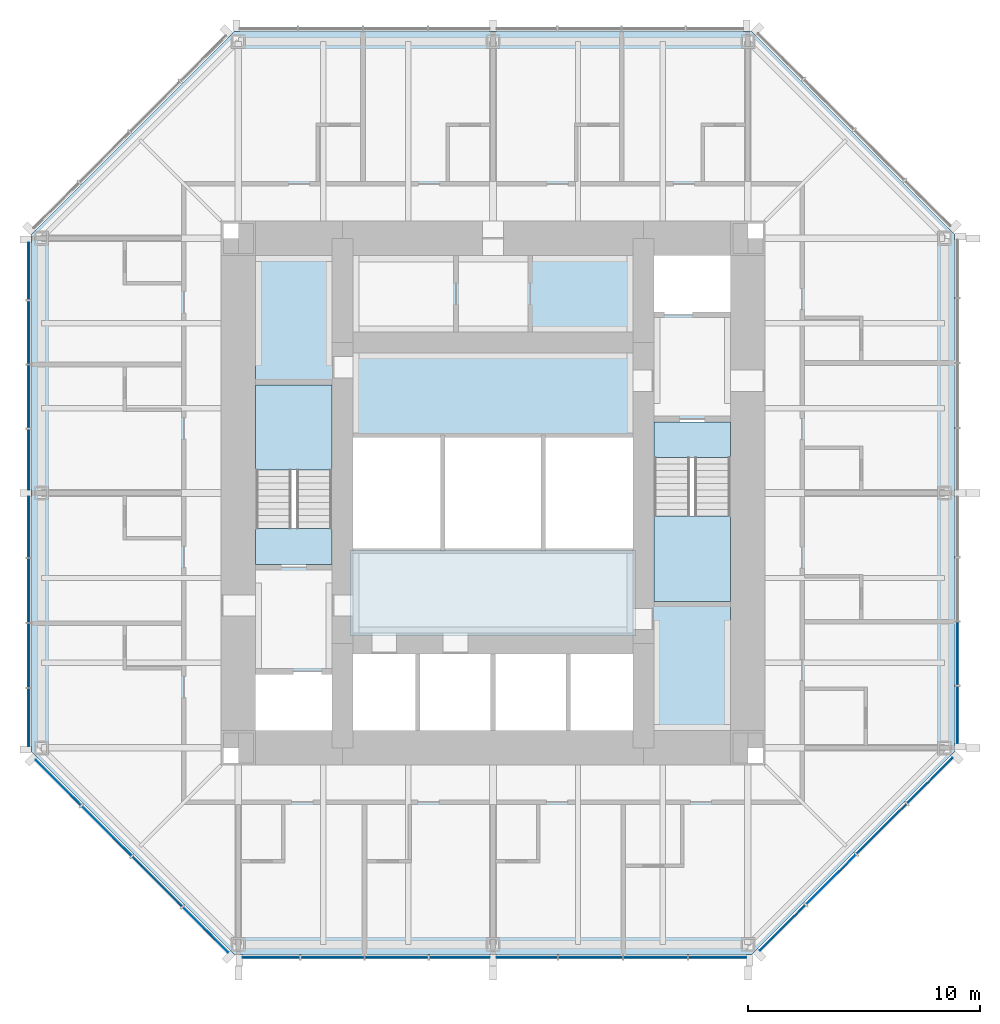
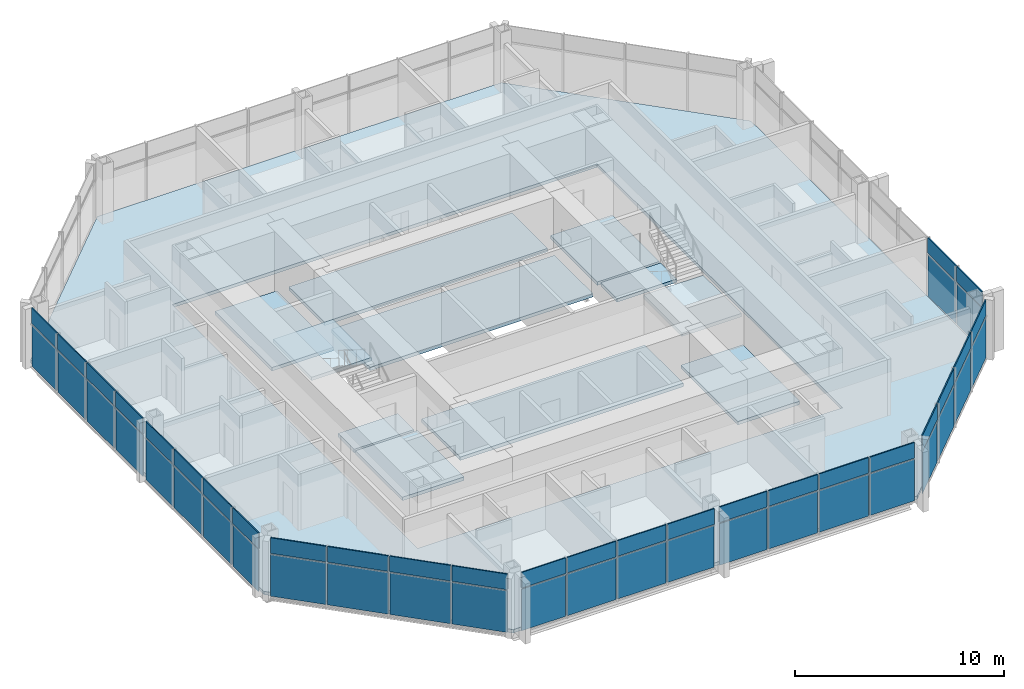
# One storey, part 6 of 12: 52 plates, 12 slabs, 7 elements without a shape of their own.
"""IFC4 building model written with IfcOpenShell, lengths in metres."""

from ifc_helpers import new_model, si_unit, direction, frame, origin, origin_2d, place, context, subcontext, project, spatial, polyline, rectangle, outline, extrude, material, layer, layer_set, type_object, element, aggregate, save


model = new_model("IFC4")

# Units and contexts
model_context = context("Model", 3, precision=1e-05, world=origin(), true_north=direction((0.0, 1.0)))
body_context = subcontext(model_context, "Body", "Model", "MODEL_VIEW")
ifc_project = project(units=[si_unit("LENGTHUNIT", "METRE"), si_unit("AREAUNIT", "SQUARE_METRE"), si_unit("VOLUMEUNIT", "CUBIC_METRE"), si_unit("PLANEANGLEUNIT", "RADIAN"), si_unit("MASSUNIT", "GRAM", prefix="KILO")], contexts=[model_context])

# Site, building, storey
site_placement = place(None, origin())
site = spatial("IfcSite", under=ifc_project, at=site_placement, CompositionType="ELEMENT")
building_placement = place(site_placement, origin())
building = spatial("IfcBuilding", under=site, at=building_placement, Name="Trevanion Tower", CompositionType="ELEMENT")
storey_placement = place(building_placement, frame((0.0, 0.0, 197.699951171875)))
storey = spatial("IfcBuildingStorey", under=building, at=storey_placement, Name="L46", CompositionType="ELEMENT", Elevation=197.699951171875)

# Curtain wall, plates
ifc_material_1 = material(Name="Aluminium and glass", Category="aluminium")
curtain_wall_type = type_object("IfcCurtainWallType", Name="CW3 curtain wall", PredefinedType="USERDEFINED", material=ifc_material_1)
curtain_wall_1_placement = place(storey_placement, origin())
curtain_wall_1 = element("IfcCurtainWall", 1, at=curtain_wall_1_placement, inside=storey, type_object=curtain_wall_type, Name="CW3 L46 0", ObjectType="UNITISED CURTAIN WALL", PredefinedType="USERDEFINED")
ifc_material_2 = material(Name="Aluminium spandrel panel", Category="aluminium")
ifc_layer_1 = layer(ifc_material_2, 0.06005859375)
ifc_layer_set_1 = layer_set([ifc_layer_1], Name="CW3 spandrel panel")
plate_type_1 = type_object("IfcPlateType", Name="CW3 spandrel panel", PredefinedType="CURTAIN_PANEL", material=ifc_layer_set_1)
plate_1_placement = place(storey_placement, frame((20.050048828125, -9.579345703125, 2.3974609375), z_axis=(0.0, 0.0, 1.0), x_axis=(0.0, 1.0, 0.0)))
plate_1 = element("IfcPlate", 2, at=plate_1_placement, type_object=plate_type_1, Name="CW3 panel 1.2", PredefinedType="CURTAIN_PANEL", context=body_context, shape_type="SweptSolid", body=[
    extrude(rectangle(XDim=2.43701171875, YDim=0.06005859375, at=origin_2d()), origin(), (0.0, 0.0, 1.0), 0.91259765625),
])
plate_2_placement = place(storey_placement, frame((20.050048828125, -6.93603515625, 2.3974609375), z_axis=(0.0, 0.0, 1.0), x_axis=(0.0, 1.0, 0.0)))
plate_2 = element("IfcPlate", 3, at=plate_2_placement, type_object=plate_type_1, Name="CW3 panel 2.2", PredefinedType="CURTAIN_PANEL", context=body_context, shape_type="SweptSolid", body=[
    extrude(rectangle(XDim=2.699462890625, YDim=0.06005859375, at=origin_2d()), origin(), (0.0, 0.0, 1.0), 0.91259765625),
])

curtain_wall_2_placement = place(storey_placement, origin())
curtain_wall_2 = element("IfcCurtainWall", 4, at=curtain_wall_2_placement, inside=storey, type_object=curtain_wall_type, Name="CW3 L46 4", ObjectType="UNITISED CURTAIN WALL", PredefinedType="USERDEFINED")
plate_3_placement = place(storey_placement, frame((-20.050048828125, 9.579345703125, 2.3974609375), z_axis=(0.0, 0.0, 1.0), x_axis=(0.0, -1.0, 0.0)))
plate_3 = element("IfcPlate", 5, at=plate_3_placement, type_object=plate_type_1, Name="CW3 panel 1.2", PredefinedType="CURTAIN_PANEL", context=body_context, shape_type="SweptSolid", body=[
    extrude(rectangle(XDim=2.43701171875, YDim=0.06005859375, at=origin_2d()), origin(), (0.0, 0.0, 1.0), 0.91259765625),
])
plate_4_placement = place(storey_placement, frame((-20.050048828125, 6.93603515625, 2.3974609375), z_axis=(0.0, 0.0, 1.0), x_axis=(0.0, -1.0, 0.0)))
plate_4 = element("IfcPlate", 6, at=plate_4_placement, type_object=plate_type_1, Name="CW3 panel 2.2", PredefinedType="CURTAIN_PANEL", context=body_context, shape_type="SweptSolid", body=[
    extrude(rectangle(XDim=2.699462890625, YDim=0.06005859375, at=origin_2d()), origin(), (0.0, 0.0, 1.0), 0.91259765625),
])
plate_5_placement = place(storey_placement, frame((-20.050048828125, 4.16162109375, 2.3974609375), z_axis=(0.0, 0.0, 1.0), x_axis=(0.0, -1.0, 0.0)))
plate_5 = element("IfcPlate", 7, at=plate_5_placement, type_object=plate_type_1, Name="CW3 panel 3.2", PredefinedType="CURTAIN_PANEL", context=body_context, shape_type="SweptSolid", body=[
    extrude(rectangle(XDim=2.699462890625, YDim=0.06005859375, at=origin_2d()), origin(), (0.0, 0.0, 1.0), 0.91259765625),
])
plate_6_placement = place(storey_placement, frame((-20.050048828125, 1.443603515625, 2.3974609375), z_axis=(0.0, 0.0, 1.0), x_axis=(0.0, -1.0, 0.0)))
plate_6 = element("IfcPlate", 8, at=plate_6_placement, type_object=plate_type_1, Name="CW3 panel 4.2", PredefinedType="CURTAIN_PANEL", context=body_context, shape_type="SweptSolid", body=[
    extrude(rectangle(XDim=2.5869140625, YDim=0.06005859375, at=origin_2d()), origin(), (0.0, 0.0, 1.0), 0.91259765625),
])
plate_7_placement = place(storey_placement, frame((-20.050048828125, -1.459716796875, 2.3974609375), z_axis=(0.0, 0.0, 1.0), x_axis=(0.0, -1.0, 0.0)))
plate_7 = element("IfcPlate", 9, at=plate_7_placement, type_object=plate_type_1, Name="CW3 panel 5.2", PredefinedType="CURTAIN_PANEL", context=body_context, shape_type="SweptSolid", body=[
    extrude(rectangle(XDim=2.619384765625, YDim=0.06005859375, at=origin_2d()), origin(), (0.0, 0.0, 1.0), 0.91259765625),
])
plate_8_placement = place(storey_placement, frame((-20.050048828125, -4.21044921875, 2.3974609375), z_axis=(0.0, 0.0, 1.0), x_axis=(0.0, -1.0, 0.0)))
plate_8 = element("IfcPlate", 10, at=plate_8_placement, type_object=plate_type_1, Name="CW3 panel 6.2", PredefinedType="CURTAIN_PANEL", context=body_context, shape_type="SweptSolid", body=[
    extrude(rectangle(XDim=2.73193359375, YDim=0.06005859375, at=origin_2d()), origin(), (0.0, 0.0, 1.0), 0.91259765625),
])
plate_9_placement = place(storey_placement, frame((-20.050048828125, -7.017333984375, 2.3974609375), z_axis=(0.0, 0.0, 1.0), x_axis=(0.0, -1.0, 0.0)))
plate_9 = element("IfcPlate", 11, at=plate_9_placement, type_object=plate_type_1, Name="CW3 panel 7.2", PredefinedType="CURTAIN_PANEL", context=body_context, shape_type="SweptSolid", body=[
    extrude(rectangle(XDim=2.73193359375, YDim=0.06005859375, at=origin_2d()), origin(), (0.0, 0.0, 1.0), 0.91259765625),
])
plate_10_placement = place(storey_placement, frame((-20.050048828125, -9.693115234375, 2.3974609375), z_axis=(0.0, 0.0, 1.0), x_axis=(0.0, -1.0, 0.0)))
plate_10 = element("IfcPlate", 12, at=plate_10_placement, type_object=plate_type_1, Name="CW3 panel 8.2", PredefinedType="CURTAIN_PANEL", context=body_context, shape_type="SweptSolid", body=[
    extrude(rectangle(XDim=2.469482421875, YDim=0.06005859375, at=origin_2d()), origin(), (0.0, 0.0, 1.0), 0.91259765625),
])

curtain_wall_3_placement = place(storey_placement, origin())
curtain_wall_3 = element("IfcCurtainWall", 13, at=curtain_wall_3_placement, inside=storey, type_object=curtain_wall_type, Name="CW3 L46 5", ObjectType="UNITISED CURTAIN WALL", PredefinedType="USERDEFINED")
plate_11_placement = place(storey_placement, frame((-18.77392578125, -12.50390625, 2.3974609375), z_axis=(0.0, 0.0, 1.0), x_axis=(0.707106781187, -0.707106781187, 0.0)))
plate_11 = element("IfcPlate", 14, at=plate_11_placement, type_object=plate_type_1, Name="CW3 panel 1.2", PredefinedType="CURTAIN_PANEL", context=body_context, shape_type="SweptSolid", body=[
    extrude(rectangle(XDim=2.7490234375, YDim=0.06005859375, at=origin_2d()), origin(), (0.0, 0.0, 1.0), 0.91259765625),
])
plate_12_placement = place(storey_placement, frame((-16.68408203125, -14.593505859375, 2.3974609375), z_axis=(0.0, 0.0, 1.0), x_axis=(0.707106781187, -0.707106781187, 0.0)))
plate_12 = element("IfcPlate", 15, at=plate_12_placement, type_object=plate_type_1, Name="CW3 panel 2.2", PredefinedType="CURTAIN_PANEL", context=body_context, shape_type="SweptSolid", body=[
    extrude(rectangle(XDim=3.01171875, YDim=0.06005859375, at=origin_2d()), origin(), (0.0, 0.0, 1.0), 0.91259765625),
])
plate_13_placement = place(storey_placement, frame((-14.501708984375, -16.776123046875, 2.3974609375), z_axis=(0.0, 0.0, 1.0), x_axis=(0.707106781187, -0.707106781187, 0.0)))
plate_13 = element("IfcPlate", 16, at=plate_13_placement, type_object=plate_type_1, Name="CW3 panel 3.2", PredefinedType="CURTAIN_PANEL", context=body_context, shape_type="SweptSolid", body=[
    extrude(rectangle(XDim=3.01171875, YDim=0.06005859375, at=origin_2d()), origin(), (0.0, 0.0, 1.0), 0.91259765625),
])
plate_14_placement = place(storey_placement, frame((-12.411865234375, -18.865966796875, 2.3974609375), z_axis=(0.0, 0.0, 1.0), x_axis=(0.707106781187, -0.707106781187, 0.0)))
plate_14 = element("IfcPlate", 17, at=plate_14_placement, type_object=plate_type_1, Name="CW3 panel 4.2", PredefinedType="CURTAIN_PANEL", context=body_context, shape_type="SweptSolid", body=[
    extrude(rectangle(XDim=2.7490234375, YDim=0.06005859375, at=origin_2d()), origin(), (0.0, 0.0, 1.0), 0.91259765625),
])

curtain_wall_4_placement = place(storey_placement, origin())
curtain_wall_4 = element("IfcCurtainWall", 18, at=curtain_wall_4_placement, inside=storey, type_object=curtain_wall_type, Name="CW3 L46 6", ObjectType="UNITISED CURTAIN WALL", PredefinedType="USERDEFINED")
plate_15_placement = place(storey_placement, frame((-9.579345703125, -20.050048828125, 2.3974609375), z_axis=(0.0, 0.0, 1.0), x_axis=(1.0, 0.0, 0.0)))
plate_15 = element("IfcPlate", 19, at=plate_15_placement, type_object=plate_type_1, Name="CW3 panel 1.2", PredefinedType="CURTAIN_PANEL", context=body_context, shape_type="SweptSolid", body=[
    extrude(rectangle(XDim=2.43701171875, YDim=0.06005859375, at=origin_2d()), origin(), (0.0, 0.0, 1.0), 0.91259765625),
])
plate_16_placement = place(storey_placement, frame((-6.93603515625, -20.050048828125, 2.3974609375), z_axis=(0.0, 0.0, 1.0), x_axis=(1.0, 0.0, 0.0)))
plate_16 = element("IfcPlate", 20, at=plate_16_placement, type_object=plate_type_1, Name="CW3 panel 2.2", PredefinedType="CURTAIN_PANEL", context=body_context, shape_type="SweptSolid", body=[
    extrude(rectangle(XDim=2.699462890625, YDim=0.06005859375, at=origin_2d()), origin(), (0.0, 0.0, 1.0), 0.91259765625),
])
plate_17_placement = place(storey_placement, frame((-4.16162109375, -20.050048828125, 2.3974609375), z_axis=(0.0, 0.0, 1.0), x_axis=(1.0, 0.0, 0.0)))
plate_17 = element("IfcPlate", 21, at=plate_17_placement, type_object=plate_type_1, Name="CW3 panel 3.2", PredefinedType="CURTAIN_PANEL", context=body_context, shape_type="SweptSolid", body=[
    extrude(rectangle(XDim=2.699462890625, YDim=0.06005859375, at=origin_2d()), origin(), (0.0, 0.0, 1.0), 0.91259765625),
])
plate_18_placement = place(storey_placement, frame((-1.443603515625, -20.050048828125, 2.3974609375), z_axis=(0.0, 0.0, 1.0), x_axis=(1.0, 0.0, 0.0)))
plate_18 = element("IfcPlate", 22, at=plate_18_placement, type_object=plate_type_1, Name="CW3 panel 4.2", PredefinedType="CURTAIN_PANEL", context=body_context, shape_type="SweptSolid", body=[
    extrude(rectangle(XDim=2.5869140625, YDim=0.06005859375, at=origin_2d()), origin(), (0.0, 0.0, 1.0), 0.91259765625),
])
plate_19_placement = place(storey_placement, frame((1.459716796875, -20.050048828125, 2.3974609375), z_axis=(0.0, 0.0, 1.0), x_axis=(1.0, 0.0, 0.0)))
plate_19 = element("IfcPlate", 23, at=plate_19_placement, type_object=plate_type_1, Name="CW3 panel 5.2", PredefinedType="CURTAIN_PANEL", context=body_context, shape_type="SweptSolid", body=[
    extrude(rectangle(XDim=2.619384765625, YDim=0.06005859375, at=origin_2d()), origin(), (0.0, 0.0, 1.0), 0.91259765625),
])
plate_20_placement = place(storey_placement, frame((4.21044921875, -20.050048828125, 2.3974609375), z_axis=(0.0, 0.0, 1.0), x_axis=(1.0, 0.0, 0.0)))
plate_20 = element("IfcPlate", 24, at=plate_20_placement, type_object=plate_type_1, Name="CW3 panel 6.2", PredefinedType="CURTAIN_PANEL", context=body_context, shape_type="SweptSolid", body=[
    extrude(rectangle(XDim=2.73193359375, YDim=0.06005859375, at=origin_2d()), origin(), (0.0, 0.0, 1.0), 0.91259765625),
])
plate_21_placement = place(storey_placement, frame((7.017333984375, -20.050048828125, 2.3974609375), z_axis=(0.0, 0.0, 1.0), x_axis=(1.0, 0.0, 0.0)))
plate_21 = element("IfcPlate", 25, at=plate_21_placement, type_object=plate_type_1, Name="CW3 panel 7.2", PredefinedType="CURTAIN_PANEL", context=body_context, shape_type="SweptSolid", body=[
    extrude(rectangle(XDim=2.73193359375, YDim=0.06005859375, at=origin_2d()), origin(), (0.0, 0.0, 1.0), 0.91259765625),
])
plate_22_placement = place(storey_placement, frame((9.693115234375, -20.050048828125, 2.3974609375), z_axis=(0.0, 0.0, 1.0), x_axis=(1.0, 0.0, 0.0)))
plate_22 = element("IfcPlate", 26, at=plate_22_placement, type_object=plate_type_1, Name="CW3 panel 8.2", PredefinedType="CURTAIN_PANEL", context=body_context, shape_type="SweptSolid", body=[
    extrude(rectangle(XDim=2.469482421875, YDim=0.06005859375, at=origin_2d()), origin(), (0.0, 0.0, 1.0), 0.91259765625),
])

curtain_wall_5_placement = place(storey_placement, origin())
curtain_wall_5 = element("IfcCurtainWall", 27, at=curtain_wall_5_placement, inside=storey, type_object=curtain_wall_type, Name="CW3 L46 7", ObjectType="UNITISED CURTAIN WALL", PredefinedType="USERDEFINED")
plate_23_placement = place(storey_placement, frame((12.50390625, -18.77392578125, 2.3974609375), z_axis=(0.0, 0.0, 1.0), x_axis=(0.707106781187, 0.707106781187, 0.0)))
plate_23 = element("IfcPlate", 28, at=plate_23_placement, type_object=plate_type_1, Name="CW3 panel 1.2", PredefinedType="CURTAIN_PANEL", context=body_context, shape_type="SweptSolid", body=[
    extrude(rectangle(XDim=2.7490234375, YDim=0.06005859375, at=origin_2d()), origin(), (0.0, 0.0, 1.0), 0.91259765625),
])
plate_24_placement = place(storey_placement, frame((14.593505859375, -16.68408203125, 2.3974609375), z_axis=(0.0, 0.0, 1.0), x_axis=(0.707106781187, 0.707106781187, 0.0)))
plate_24 = element("IfcPlate", 29, at=plate_24_placement, type_object=plate_type_1, Name="CW3 panel 2.2", PredefinedType="CURTAIN_PANEL", context=body_context, shape_type="SweptSolid", body=[
    extrude(rectangle(XDim=3.01171875, YDim=0.06005859375, at=origin_2d()), origin(), (0.0, 0.0, 1.0), 0.91259765625),
])
plate_25_placement = place(storey_placement, frame((16.776123046875, -14.501708984375, 2.3974609375), z_axis=(0.0, 0.0, 1.0), x_axis=(0.707106781187, 0.707106781187, 0.0)))
plate_25 = element("IfcPlate", 30, at=plate_25_placement, type_object=plate_type_1, Name="CW3 panel 3.2", PredefinedType="CURTAIN_PANEL", context=body_context, shape_type="SweptSolid", body=[
    extrude(rectangle(XDim=3.01171875, YDim=0.06005859375, at=origin_2d()), origin(), (0.0, 0.0, 1.0), 0.91259765625),
])
plate_26_placement = place(storey_placement, frame((18.865966796875, -12.411865234375, 2.3974609375), z_axis=(0.0, 0.0, 1.0), x_axis=(0.707106781187, 0.707106781187, 0.0)))
plate_26 = element("IfcPlate", 31, at=plate_26_placement, type_object=plate_type_1, Name="CW3 panel 4.2", PredefinedType="CURTAIN_PANEL", context=body_context, shape_type="SweptSolid", body=[
    extrude(rectangle(XDim=2.7490234375, YDim=0.06005859375, at=origin_2d()), origin(), (0.0, 0.0, 1.0), 0.91259765625),
])

# Plate
ifc_material_3 = material(Name="Insulating glass unit", Category="glass")
ifc_layer_2 = layer(ifc_material_3, 0.028076171875)
ifc_layer_set_2 = layer_set([ifc_layer_2], Name="CW3 vision panel")
plate_type_2 = type_object("IfcPlateType", Name="CW3 vision panel", PredefinedType="CURTAIN_PANEL", material=ifc_layer_set_2)
plate_27_placement = place(storey_placement, frame((20.050048828125, -9.579345703125, -0.114990234375), z_axis=(0.0, 0.0, 1.0), x_axis=(0.0, 1.0, 0.0)))
plate_27 = element("IfcPlate", 32, at=plate_27_placement, type_object=plate_type_2, Name="CW3 panel 1.1", PredefinedType="CURTAIN_PANEL", context=body_context, shape_type="SweptSolid", body=[
    extrude(rectangle(XDim=2.43701171875, YDim=0.028076171875, at=origin_2d()), origin(), (0.0, 0.0, 1.0), 2.4375),
])

plate_28_placement = place(storey_placement, frame((20.050048828125, -6.93603515625, -0.114990234375), z_axis=(0.0, 0.0, 1.0), x_axis=(0.0, 1.0, 0.0)))
plate_28 = element("IfcPlate", 33, at=plate_28_placement, type_object=plate_type_2, Name="CW3 panel 2.1", PredefinedType="CURTAIN_PANEL", context=body_context, shape_type="SweptSolid", body=[
    extrude(rectangle(XDim=2.699462890625, YDim=0.028076171875, at=origin_2d()), origin(), (0.0, 0.0, 1.0), 2.4375),
])

aggregate(curtain_wall_1, [plate_27, plate_1, plate_28, plate_2])

plate_29_placement = place(storey_placement, frame((-20.050048828125, 9.579345703125, -0.114990234375), z_axis=(0.0, 0.0, 1.0), x_axis=(0.0, -1.0, 0.0)))
plate_29 = element("IfcPlate", 34, at=plate_29_placement, type_object=plate_type_2, Name="CW3 panel 1.1", PredefinedType="CURTAIN_PANEL", context=body_context, shape_type="SweptSolid", body=[
    extrude(rectangle(XDim=2.43701171875, YDim=0.028076171875, at=origin_2d()), origin(), (0.0, 0.0, 1.0), 2.4375),
])

plate_30_placement = place(storey_placement, frame((-20.050048828125, 6.93603515625, -0.114990234375), z_axis=(0.0, 0.0, 1.0), x_axis=(0.0, -1.0, 0.0)))
plate_30 = element("IfcPlate", 35, at=plate_30_placement, type_object=plate_type_2, Name="CW3 panel 2.1", PredefinedType="CURTAIN_PANEL", context=body_context, shape_type="SweptSolid", body=[
    extrude(rectangle(XDim=2.699462890625, YDim=0.028076171875, at=origin_2d()), origin(), (0.0, 0.0, 1.0), 2.4375),
])

plate_31_placement = place(storey_placement, frame((-20.050048828125, 4.16162109375, -0.114990234375), z_axis=(0.0, 0.0, 1.0), x_axis=(0.0, -1.0, 0.0)))
plate_31 = element("IfcPlate", 36, at=plate_31_placement, type_object=plate_type_2, Name="CW3 panel 3.1", PredefinedType="CURTAIN_PANEL", context=body_context, shape_type="SweptSolid", body=[
    extrude(rectangle(XDim=2.699462890625, YDim=0.028076171875, at=origin_2d()), origin(), (0.0, 0.0, 1.0), 2.4375),
])

plate_32_placement = place(storey_placement, frame((-20.050048828125, 1.443603515625, -0.114990234375), z_axis=(0.0, 0.0, 1.0), x_axis=(0.0, -1.0, 0.0)))
plate_32 = element("IfcPlate", 37, at=plate_32_placement, type_object=plate_type_2, Name="CW3 panel 4.1", PredefinedType="CURTAIN_PANEL", context=body_context, shape_type="SweptSolid", body=[
    extrude(rectangle(XDim=2.5869140625, YDim=0.028076171875, at=origin_2d()), origin(), (0.0, 0.0, 1.0), 2.4375),
])

plate_33_placement = place(storey_placement, frame((-20.050048828125, -1.459716796875, -0.114990234375), z_axis=(0.0, 0.0, 1.0), x_axis=(0.0, -1.0, 0.0)))
plate_33 = element("IfcPlate", 38, at=plate_33_placement, type_object=plate_type_2, Name="CW3 panel 5.1", PredefinedType="CURTAIN_PANEL", context=body_context, shape_type="SweptSolid", body=[
    extrude(rectangle(XDim=2.619384765625, YDim=0.028076171875, at=origin_2d()), origin(), (0.0, 0.0, 1.0), 2.4375),
])

plate_34_placement = place(storey_placement, frame((-20.050048828125, -4.21044921875, -0.114990234375), z_axis=(0.0, 0.0, 1.0), x_axis=(0.0, -1.0, 0.0)))
plate_34 = element("IfcPlate", 39, at=plate_34_placement, type_object=plate_type_2, Name="CW3 panel 6.1", PredefinedType="CURTAIN_PANEL", context=body_context, shape_type="SweptSolid", body=[
    extrude(rectangle(XDim=2.73193359375, YDim=0.028076171875, at=origin_2d()), origin(), (0.0, 0.0, 1.0), 2.4375),
])

plate_35_placement = place(storey_placement, frame((-20.050048828125, -7.017333984375, -0.114990234375), z_axis=(0.0, 0.0, 1.0), x_axis=(0.0, -1.0, 0.0)))
plate_35 = element("IfcPlate", 40, at=plate_35_placement, type_object=plate_type_2, Name="CW3 panel 7.1", PredefinedType="CURTAIN_PANEL", context=body_context, shape_type="SweptSolid", body=[
    extrude(rectangle(XDim=2.73193359375, YDim=0.028076171875, at=origin_2d()), origin(), (0.0, 0.0, 1.0), 2.4375),
])

plate_36_placement = place(storey_placement, frame((-20.050048828125, -9.693115234375, -0.114990234375), z_axis=(0.0, 0.0, 1.0), x_axis=(0.0, -1.0, 0.0)))
plate_36 = element("IfcPlate", 41, at=plate_36_placement, type_object=plate_type_2, Name="CW3 panel 8.1", PredefinedType="CURTAIN_PANEL", context=body_context, shape_type="SweptSolid", body=[
    extrude(rectangle(XDim=2.469482421875, YDim=0.028076171875, at=origin_2d()), origin(), (0.0, 0.0, 1.0), 2.4375),
])

aggregate(curtain_wall_2, [plate_29, plate_3, plate_30, plate_4, plate_31, plate_5, plate_32, plate_6, plate_33, plate_7, plate_34, plate_8, plate_35, plate_9, plate_36, plate_10])

plate_37_placement = place(storey_placement, frame((-18.77392578125, -12.50390625, -0.114990234375), z_axis=(0.0, 0.0, 1.0), x_axis=(0.707106781187, -0.707106781187, 0.0)))
plate_37 = element("IfcPlate", 42, at=plate_37_placement, type_object=plate_type_2, Name="CW3 panel 1.1", PredefinedType="CURTAIN_PANEL", context=body_context, shape_type="SweptSolid", body=[
    extrude(rectangle(XDim=2.7490234375, YDim=0.028076171875, at=origin_2d()), origin(), (0.0, 0.0, 1.0), 2.4375),
])

plate_38_placement = place(storey_placement, frame((-16.68408203125, -14.593505859375, -0.114990234375), z_axis=(0.0, 0.0, 1.0), x_axis=(0.707106781187, -0.707106781187, 0.0)))
plate_38 = element("IfcPlate", 43, at=plate_38_placement, type_object=plate_type_2, Name="CW3 panel 2.1", PredefinedType="CURTAIN_PANEL", context=body_context, shape_type="SweptSolid", body=[
    extrude(rectangle(XDim=3.01171875, YDim=0.028076171875, at=origin_2d()), origin(), (0.0, 0.0, 1.0), 2.4375),
])

plate_39_placement = place(storey_placement, frame((-14.501708984375, -16.776123046875, -0.114990234375), z_axis=(0.0, 0.0, 1.0), x_axis=(0.707106781187, -0.707106781187, 0.0)))
plate_39 = element("IfcPlate", 44, at=plate_39_placement, type_object=plate_type_2, Name="CW3 panel 3.1", PredefinedType="CURTAIN_PANEL", context=body_context, shape_type="SweptSolid", body=[
    extrude(rectangle(XDim=3.01171875, YDim=0.028076171875, at=origin_2d()), origin(), (0.0, 0.0, 1.0), 2.4375),
])

plate_40_placement = place(storey_placement, frame((-12.411865234375, -18.865966796875, -0.114990234375), z_axis=(0.0, 0.0, 1.0), x_axis=(0.707106781187, -0.707106781187, 0.0)))
plate_40 = element("IfcPlate", 45, at=plate_40_placement, type_object=plate_type_2, Name="CW3 panel 4.1", PredefinedType="CURTAIN_PANEL", context=body_context, shape_type="SweptSolid", body=[
    extrude(rectangle(XDim=2.7490234375, YDim=0.028076171875, at=origin_2d()), origin(), (0.0, 0.0, 1.0), 2.4375),
])

aggregate(curtain_wall_3, [plate_37, plate_11, plate_38, plate_12, plate_39, plate_13, plate_40, plate_14])

plate_41_placement = place(storey_placement, frame((-9.579345703125, -20.050048828125, -0.114990234375), z_axis=(0.0, 0.0, 1.0), x_axis=(1.0, 0.0, 0.0)))
plate_41 = element("IfcPlate", 46, at=plate_41_placement, type_object=plate_type_2, Name="CW3 panel 1.1", PredefinedType="CURTAIN_PANEL", context=body_context, shape_type="SweptSolid", body=[
    extrude(rectangle(XDim=2.43701171875, YDim=0.028076171875, at=origin_2d()), origin(), (0.0, 0.0, 1.0), 2.4375),
])

plate_42_placement = place(storey_placement, frame((-6.93603515625, -20.050048828125, -0.114990234375), z_axis=(0.0, 0.0, 1.0), x_axis=(1.0, 0.0, 0.0)))
plate_42 = element("IfcPlate", 47, at=plate_42_placement, type_object=plate_type_2, Name="CW3 panel 2.1", PredefinedType="CURTAIN_PANEL", context=body_context, shape_type="SweptSolid", body=[
    extrude(rectangle(XDim=2.699462890625, YDim=0.028076171875, at=origin_2d()), origin(), (0.0, 0.0, 1.0), 2.4375),
])

plate_43_placement = place(storey_placement, frame((-4.16162109375, -20.050048828125, -0.114990234375), z_axis=(0.0, 0.0, 1.0), x_axis=(1.0, 0.0, 0.0)))
plate_43 = element("IfcPlate", 48, at=plate_43_placement, type_object=plate_type_2, Name="CW3 panel 3.1", PredefinedType="CURTAIN_PANEL", context=body_context, shape_type="SweptSolid", body=[
    extrude(rectangle(XDim=2.699462890625, YDim=0.028076171875, at=origin_2d()), origin(), (0.0, 0.0, 1.0), 2.4375),
])

plate_44_placement = place(storey_placement, frame((-1.443603515625, -20.050048828125, -0.114990234375), z_axis=(0.0, 0.0, 1.0), x_axis=(1.0, 0.0, 0.0)))
plate_44 = element("IfcPlate", 49, at=plate_44_placement, type_object=plate_type_2, Name="CW3 panel 4.1", PredefinedType="CURTAIN_PANEL", context=body_context, shape_type="SweptSolid", body=[
    extrude(rectangle(XDim=2.5869140625, YDim=0.028076171875, at=origin_2d()), origin(), (0.0, 0.0, 1.0), 2.4375),
])

plate_45_placement = place(storey_placement, frame((1.459716796875, -20.050048828125, -0.114990234375), z_axis=(0.0, 0.0, 1.0), x_axis=(1.0, 0.0, 0.0)))
plate_45 = element("IfcPlate", 50, at=plate_45_placement, type_object=plate_type_2, Name="CW3 panel 5.1", PredefinedType="CURTAIN_PANEL", context=body_context, shape_type="SweptSolid", body=[
    extrude(rectangle(XDim=2.619384765625, YDim=0.028076171875, at=origin_2d()), origin(), (0.0, 0.0, 1.0), 2.4375),
])

plate_46_placement = place(storey_placement, frame((4.21044921875, -20.050048828125, -0.114990234375), z_axis=(0.0, 0.0, 1.0), x_axis=(1.0, 0.0, 0.0)))
plate_46 = element("IfcPlate", 51, at=plate_46_placement, type_object=plate_type_2, Name="CW3 panel 6.1", PredefinedType="CURTAIN_PANEL", context=body_context, shape_type="SweptSolid", body=[
    extrude(rectangle(XDim=2.73193359375, YDim=0.028076171875, at=origin_2d()), origin(), (0.0, 0.0, 1.0), 2.4375),
])

plate_47_placement = place(storey_placement, frame((7.017333984375, -20.050048828125, -0.114990234375), z_axis=(0.0, 0.0, 1.0), x_axis=(1.0, 0.0, 0.0)))
plate_47 = element("IfcPlate", 52, at=plate_47_placement, type_object=plate_type_2, Name="CW3 panel 7.1", PredefinedType="CURTAIN_PANEL", context=body_context, shape_type="SweptSolid", body=[
    extrude(rectangle(XDim=2.73193359375, YDim=0.028076171875, at=origin_2d()), origin(), (0.0, 0.0, 1.0), 2.4375),
])

plate_48_placement = place(storey_placement, frame((9.693115234375, -20.050048828125, -0.114990234375), z_axis=(0.0, 0.0, 1.0), x_axis=(1.0, 0.0, 0.0)))
plate_48 = element("IfcPlate", 53, at=plate_48_placement, type_object=plate_type_2, Name="CW3 panel 8.1", PredefinedType="CURTAIN_PANEL", context=body_context, shape_type="SweptSolid", body=[
    extrude(rectangle(XDim=2.469482421875, YDim=0.028076171875, at=origin_2d()), origin(), (0.0, 0.0, 1.0), 2.4375),
])

aggregate(curtain_wall_4, [plate_41, plate_15, plate_42, plate_16, plate_43, plate_17, plate_44, plate_18, plate_45, plate_19, plate_46, plate_20, plate_47, plate_21, plate_48, plate_22])

plate_49_placement = place(storey_placement, frame((12.50390625, -18.77392578125, -0.114990234375), z_axis=(0.0, 0.0, 1.0), x_axis=(0.707106781187, 0.707106781187, 0.0)))
plate_49 = element("IfcPlate", 54, at=plate_49_placement, type_object=plate_type_2, Name="CW3 panel 1.1", PredefinedType="CURTAIN_PANEL", context=body_context, shape_type="SweptSolid", body=[
    extrude(rectangle(XDim=2.7490234375, YDim=0.028076171875, at=origin_2d()), origin(), (0.0, 0.0, 1.0), 2.4375),
])

plate_50_placement = place(storey_placement, frame((14.593505859375, -16.68408203125, -0.114990234375), z_axis=(0.0, 0.0, 1.0), x_axis=(0.707106781187, 0.707106781187, 0.0)))
plate_50 = element("IfcPlate", 55, at=plate_50_placement, type_object=plate_type_2, Name="CW3 panel 2.1", PredefinedType="CURTAIN_PANEL", context=body_context, shape_type="SweptSolid", body=[
    extrude(rectangle(XDim=3.01171875, YDim=0.028076171875, at=origin_2d()), origin(), (0.0, 0.0, 1.0), 2.4375),
])

plate_51_placement = place(storey_placement, frame((16.776123046875, -14.501708984375, -0.114990234375), z_axis=(0.0, 0.0, 1.0), x_axis=(0.707106781187, 0.707106781187, 0.0)))
plate_51 = element("IfcPlate", 56, at=plate_51_placement, type_object=plate_type_2, Name="CW3 panel 3.1", PredefinedType="CURTAIN_PANEL", context=body_context, shape_type="SweptSolid", body=[
    extrude(rectangle(XDim=3.01171875, YDim=0.028076171875, at=origin_2d()), origin(), (0.0, 0.0, 1.0), 2.4375),
])

plate_52_placement = place(storey_placement, frame((18.865966796875, -12.411865234375, -0.114990234375), z_axis=(0.0, 0.0, 1.0), x_axis=(0.707106781187, 0.707106781187, 0.0)))
plate_52 = element("IfcPlate", 57, at=plate_52_placement, type_object=plate_type_2, Name="CW3 panel 4.1", PredefinedType="CURTAIN_PANEL", context=body_context, shape_type="SweptSolid", body=[
    extrude(rectangle(XDim=2.7490234375, YDim=0.028076171875, at=origin_2d()), origin(), (0.0, 0.0, 1.0), 2.4375),
])

aggregate(curtain_wall_5, [plate_49, plate_23, plate_50, plate_24, plate_51, plate_25, plate_52, plate_26])

# Slabs
ifc_material_4 = material(Name="Concrete 5,000 psi on composite metal deck", Category="concrete")
ifc_layer_3 = layer(ifc_material_4, 0.18994140625)
ifc_layer_set_3 = layer_set([ifc_layer_3], Name="SL1 composite floor 190")
slab_type_1 = type_object("IfcSlabType", Name="SL1 composite floor 190", PredefinedType="FLOOR", material=ifc_layer_set_3)
slab_1_placement = place(storey_placement, frame((0.0, 0.0, -0.18994140625)))
element("IfcSlab", 58, at=slab_1_placement, inside=storey, type_object=slab_type_1, Name="SL1 L46 floor", PredefinedType="FLOOR", context=body_context, shape_type="SweptSolid", body=[
    extrude(outline(polyline([(19.919921875, -11.174072265625), (19.919921875, 11.174072265625), (11.174072265625, 19.919921875), (-11.174072265625, 19.919921875), (-19.919921875, 11.174072265625), (-19.919921875, -11.174072265625), (-11.174072265625, -19.919921875), (11.174072265625, -19.919921875), (19.919921875, -11.174072265625)]), holes=[polyline([(11.75, -11.75), (11.75, 11.75), (-11.75, 11.75), (-11.75, -11.75), (11.75, -11.75)])]), origin(), (0.0, 0.0, 1.0), 0.18994140625),
])
ifc_material_5 = material(Name="Concrete 5,000 psi", Category="concrete")
ifc_layer_4 = layer(ifc_material_5, 0.199951171875)
ifc_layer_set_4 = layer_set([ifc_layer_4], Name="SL2 core floor 200")
slab_type_2 = type_object("IfcSlabType", Name="SL2 core floor 200", PredefinedType="FLOOR", material=ifc_layer_set_4)
slab_2_placement = place(storey_placement, frame((0.0, 0.0, -0.199951171875)))
element("IfcSlab", 59, at=slab_2_placement, inside=storey, type_object=slab_type_2, Name="SL2 L46 core floor 1", PredefinedType="FLOOR", context=body_context, shape_type="SweptSolid", body=[
    extrude(outline(polyline([(10.25, -4.804931640625), (10.25, -10.25), (6.830078125, -10.25), (6.830078125, -4.804931640625), (10.25, -4.804931640625)])), origin(), (0.0, 0.0, 1.0), 0.199951171875),
])
slab_3_placement = place(storey_placement, frame((0.0, 0.0, -0.199951171875)))
element("IfcSlab", 60, at=slab_3_placement, inside=storey, type_object=slab_type_2, Name="SL2 L46 core floor 2", PredefinedType="FLOOR", context=body_context, shape_type="SweptSolid", body=[
    extrude(outline(polyline([(-6.830078125, -3.205078125), (-6.830078125, -7.695068359375), (-10.25, -7.695068359375), (-10.25, -3.205078125), (-6.830078125, -3.205078125)])), origin(), (0.0, 0.0, 1.0), 0.199951171875),
])
slab_4_placement = place(storey_placement, frame((0.0, 0.0, -0.199951171875)))
element("IfcSlab", 61, at=slab_4_placement, inside=storey, type_object=slab_type_2, Name="SL2 L46 core floor 3", PredefinedType="FLOOR", context=body_context, shape_type="SweptSolid", body=[
    extrude(outline(polyline([(6.169921875, -6.169921875), (-6.169921875, -6.169921875), (-6.169921875, -2.47998046875), (6.169921875, -2.47998046875), (6.169921875, -6.169921875)])), origin(), (0.0, 0.0, 1.0), 0.199951171875),
])
slab_5_placement = place(storey_placement, frame((0.0, 0.0, -0.199951171875)))
element("IfcSlab", 62, at=slab_5_placement, inside=storey, type_object=slab_type_2, Name="SL2 L46 core floor 4", PredefinedType="FLOOR", context=body_context, shape_type="SweptSolid", body=[
    extrude(outline(polyline([(6.169921875, 2.47998046875), (-6.169921875, 2.47998046875), (-6.169921875, 6.169921875), (6.169921875, 6.169921875), (6.169921875, 2.47998046875)])), origin(), (0.0, 0.0, 1.0), 0.199951171875),
])
slab_6_placement = place(storey_placement, frame((0.0, 0.0, -0.199951171875)))
element("IfcSlab", 63, at=slab_6_placement, inside=storey, type_object=slab_type_2, Name="SL2 L46 core floor 5", PredefinedType="FLOOR", context=body_context, shape_type="SweptSolid", body=[
    extrude(outline(polyline([(6.830078125, 3.205078125), (6.830078125, 7.695068359375), (10.25, 7.695068359375), (10.25, 3.205078125), (6.830078125, 3.205078125)])), origin(), (0.0, 0.0, 1.0), 0.199951171875),
])
slab_7_placement = place(storey_placement, frame((0.0, 0.0, -0.199951171875)))
element("IfcSlab", 64, at=slab_7_placement, inside=storey, type_object=slab_type_2, Name="SL2 L46 core floor 6", PredefinedType="FLOOR", context=body_context, shape_type="SweptSolid", body=[
    extrude(outline(polyline([(-6.830078125, 4.804931640625), (-10.25, 4.804931640625), (-10.25, 10.25), (-6.830078125, 10.25), (-6.830078125, 4.804931640625)])), origin(), (0.0, 0.0, 1.0), 0.199951171875),
])
slab_8_placement = place(storey_placement, frame((0.0, 0.0, -0.199951171875)))
element("IfcSlab", 65, at=slab_8_placement, inside=storey, type_object=slab_type_2, Name="SL2 L46 core floor 7", PredefinedType="FLOOR", context=body_context, shape_type="SweptSolid", body=[
    extrude(outline(polyline([(6.169921875, 6.830078125), (-6.169921875, 6.830078125), (-6.169921875, 10.25), (6.169921875, 10.25), (6.169921875, 6.830078125)])), origin(), (0.0, 0.0, 1.0), 0.199951171875),
])

# Stair, slabs
ifc_material_6 = material(Name="Concrete 5,000 psi on steel stringers", Category="concrete")
stair_type = type_object("IfcStairType", Name="ST stair", PredefinedType="HALF_TURN_STAIR", material=ifc_material_6)
stair_1_placement = place(storey_placement, origin())
stair_1 = element("IfcStair", 66, at=stair_1_placement, inside=storey, type_object=stair_type, Name="ST1 L46", PredefinedType="HALF_TURN_STAIR")
ifc_material_7 = material(Name="Concrete 5,000 psi in steel pan", Category="concrete")
ifc_layer_5 = layer(ifc_material_7, 0.199951171875)
ifc_layer_set_5 = layer_set([ifc_layer_5], Name="STL stair landing 200")
slab_type_3 = type_object("IfcSlabType", Name="STL stair landing 200", PredefinedType="LANDING", material=ifc_layer_set_5)
slab_9_placement = place(storey_placement, frame((0.0, 0.0, -0.199951171875)))
slab_9 = element("IfcSlab", 67, at=slab_9_placement, type_object=slab_type_3, Name="ST1 landing 1", PredefinedType="LANDING", context=body_context, shape_type="SweptSolid", body=[
    extrude(outline(polyline([(6.949951171875, 1.52490234375), (10.25, 1.52490234375), (10.25, 3.074951171875), (6.949951171875, 3.074951171875), (6.949951171875, 1.52490234375)])), origin(), (0.0, 0.0, 1.0), 0.199951171875),
])
slab_10_placement = place(storey_placement, frame((0.0, 0.0, 1.550048828125)))
slab_10 = element("IfcSlab", 68, at=slab_10_placement, type_object=slab_type_3, Name="ST1 landing 2", PredefinedType="LANDING", context=body_context, shape_type="SweptSolid", body=[
    extrude(outline(polyline([(6.949951171875, -4.675048828125), (10.25, -4.675048828125), (10.25, -0.9951171875), (6.949951171875, -0.9951171875), (6.949951171875, -4.675048828125)])), origin(), (0.0, 0.0, 1.0), 0.199951171875),
])
aggregate(stair_1, [slab_9, slab_10])

stair_2_placement = place(storey_placement, origin())
stair_2 = element("IfcStair", 69, at=stair_2_placement, inside=storey, type_object=stair_type, Name="ST2 L46", PredefinedType="HALF_TURN_STAIR")
slab_11_placement = place(storey_placement, frame((0.0, 0.0, -0.199951171875)))
slab_11 = element("IfcSlab", 70, at=slab_11_placement, type_object=slab_type_3, Name="ST2 landing 1", PredefinedType="LANDING", context=body_context, shape_type="SweptSolid", body=[
    extrude(outline(polyline([(-6.949951171875, -1.52490234375), (-10.25, -1.52490234375), (-10.25, -3.074951171875), (-6.949951171875, -3.074951171875), (-6.949951171875, -1.52490234375)])), origin(), (0.0, 0.0, 1.0), 0.199951171875),
])
slab_12_placement = place(storey_placement, frame((0.0, 0.0, 1.550048828125)))
slab_12 = element("IfcSlab", 71, at=slab_12_placement, type_object=slab_type_3, Name="ST2 landing 2", PredefinedType="LANDING", context=body_context, shape_type="SweptSolid", body=[
    extrude(outline(polyline([(-6.949951171875, 4.675048828125), (-10.25, 4.675048828125), (-10.25, 0.9951171875), (-6.949951171875, 0.9951171875), (-6.949951171875, 4.675048828125)])), origin(), (0.0, 0.0, 1.0), 0.199951171875),
])
aggregate(stair_2, [slab_11, slab_12])

save(model, "model.ifc")
